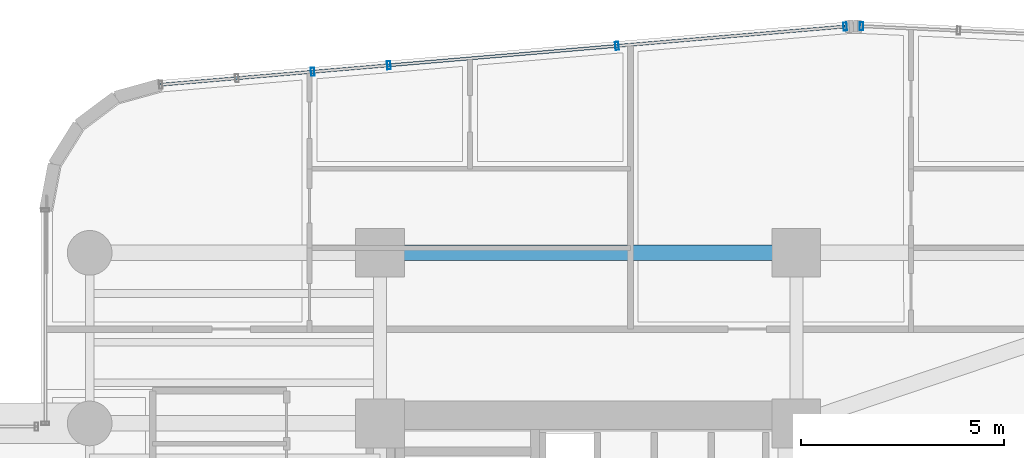
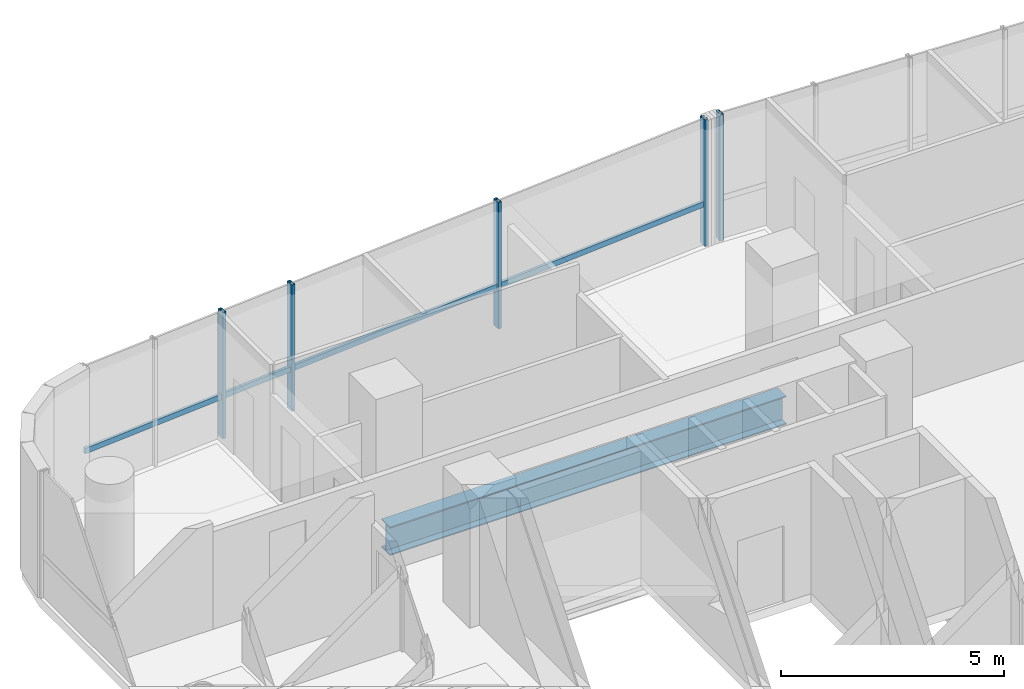
# One storey, part 19 of 36: 6 members, 1 beam, 2 elements without a shape of their own.
"""IFC4 building model written with IfcOpenShell, lengths in metres."""

import ifcopenshell
import ifcopenshell.guid

model = None  # the IFC model being written
_history = None  # IfcOwnerHistory: only IFC2X3 demands one
_inside = {}  # id of a spatial element -> (the spatial element, [elements in it])
_under = {}  # id of a project, library or spatial element -> (it, [spatial elements below it])
_declared = {}  # id of a project -> (the project, [libraries it declares])
_typed = {}  # id of a type object -> (the type object, [elements of that type])
_made_of = {}  # id of a material, layer set ... -> (it, [elements and type objects made of it])


def new_model(schema):
    """Start an empty IFC model of exactly this schema.

    Asked for "IFC4X3", IfcOpenShell would pick the latest addendum, in which some entities
    have other attributes; the version numbers below select the first issue.
    IFC2X3 requires an IfcOwnerHistory on every rooted entity: one is made here for all.
    """
    global model, _history
    if schema == "IFC4X3":
        model = ifcopenshell.file(schema_version=(4, 3, 0, 0))
    else:
        model = ifcopenshell.file(schema=schema)
    _inside.clear()
    _under.clear()
    _declared.clear()
    _typed.clear()
    _made_of.clear()
    _history = None
    if model.schema == "IFC2X3":
        org = make("IfcOrganization", Name="unknown")
        user = make(
            "IfcPersonAndOrganization",
            ThePerson=make("IfcPerson", FamilyName="unknown"),
            TheOrganization=org,
        )
        app = make(
            "IfcApplication",
            ApplicationDeveloper=org,
            Version="unknown",
            ApplicationFullName="unknown",
            ApplicationIdentifier="unknown",
        )
        _history = make(
            "IfcOwnerHistory",
            OwningUser=user,
            OwningApplication=app,
            ChangeAction="ADDED",
            CreationDate=0,
        )
    return model


def make(cls, **values):
    """One entity of the class cls with the attributes given. An attribute that is None is left unset."""
    return model.create_entity(
        cls, **{name: value for name, value in values.items() if value is not None}
    )


def rooted(cls, **values):
    """An entity with a GlobalId (a new one), such as an element, a storey or a relation."""
    return make(cls, GlobalId=ifcopenshell.guid.new(), OwnerHistory=_history, **values)


def si_unit(unit_type, name, prefix=None):
    """IfcSIUnit, for example si_unit("LENGTHUNIT", "METRE", prefix="MILLI")."""
    return make("IfcSIUnit", UnitType=unit_type, Prefix=prefix, Name=name)


def assignment(units):
    """IfcUnitAssignment: the units of a project."""
    return None if units is None else make("IfcUnitAssignment", Units=units)


def point(xyz):
    """IfcCartesianPoint."""
    return None if xyz is None else make("IfcCartesianPoint", Coordinates=xyz)


def direction(xyz):
    """IfcDirection."""
    return None if xyz is None else make("IfcDirection", DirectionRatios=xyz)


def frame(location, z_axis=None, x_axis=None):
    """IfcAxis2Placement3D, a coordinate frame: its origin and axes. An axis left out is left unset."""
    return make(
        "IfcAxis2Placement3D",
        Location=point(location),
        Axis=direction(z_axis),
        RefDirection=direction(x_axis),
    )


def frame_2d(location, x_axis=None):
    """IfcAxis2Placement2D, a coordinate frame in the plane: its origin and x axis."""
    return make(
        "IfcAxis2Placement2D", Location=point(location), RefDirection=direction(x_axis)
    )


def origin():
    """The frame at (0, 0, 0) with its axes left unset."""
    return frame((0.0, 0.0, 0.0))


def origin_2d():
    """The frame at (0, 0) in the plane with its x axis left unset."""
    return frame_2d((0.0, 0.0))


def place(relative_to, where):
    """IfcLocalPlacement: puts the frame where relative to a parent placement (None: the world)."""
    return make(
        "IfcLocalPlacement", PlacementRelTo=relative_to, RelativePlacement=where
    )


def context(
    kind, dimensions, precision=None, world=None, true_north=None, identifier=None
):
    """IfcGeometricRepresentationContext, for example the 3D "Model" context."""
    return make(
        "IfcGeometricRepresentationContext",
        ContextIdentifier=identifier,
        ContextType=kind,
        CoordinateSpaceDimension=dimensions,
        Precision=precision,
        WorldCoordinateSystem=world,
        TrueNorth=true_north,
    )


def subcontext(parent, identifier, kind, view, scale=None):
    """IfcGeometricRepresentationSubContext, for example "Body" below "Model"."""
    return make(
        "IfcGeometricRepresentationSubContext",
        ContextIdentifier=identifier,
        ContextType=kind,
        ParentContext=parent,
        TargetScale=scale,
        TargetView=view,
    )


def project(units=None, contexts=None):
    """IfcProject with its units and contexts."""
    return rooted(
        "IfcProject",
        Name="project",
        RepresentationContexts=contexts,
        UnitsInContext=assignment(units),
    )


def spatial(cls, under=None, at=None, **own):
    """A site, building, storey or space (cls), placed at a placement, below another one or the project."""
    s = rooted(cls, ObjectPlacement=at, **own)
    if under is not None:
        _under.setdefault(under.id(), (under, []))[1].append(s)
    return s


def profile(cls, at=None, kind="AREA", **sizes):
    """A parametric profile (cls). Its sizes go by their IFC names, for example OverallWidth=200.0."""
    return make(cls, ProfileType=kind, Position=at, **sizes)


def hollow_rectangle(**sizes):
    """IfcRectangleHollowProfileDef."""
    return profile("IfcRectangleHollowProfileDef", **sizes)


def i_section(**sizes):
    """IfcIShapeProfileDef."""
    return profile("IfcIShapeProfileDef", **sizes)


def extrude(swept, where, along, depth):
    """IfcExtrudedAreaSolid: the profile swept, set in the frame where, extruded along a direction by depth."""
    return make(
        "IfcExtrudedAreaSolid",
        SweptArea=swept,
        Position=where,
        ExtrudedDirection=direction(along),
        Depth=depth,
    )


def shape(context_of_items, identifier, shape_type, items):
    """IfcShapeRepresentation: the items that make up one representation, for example the "Body"."""
    return make(
        "IfcShapeRepresentation",
        ContextOfItems=context_of_items,
        RepresentationIdentifier=identifier,
        RepresentationType=shape_type,
        Items=items,
    )


def source(mapping_origin, context_of_items, identifier, shape_type, items):
    """IfcRepresentationMap: a shape defined once, which mapped items show again and again."""
    return make(
        "IfcRepresentationMap",
        MappingOrigin=mapping_origin,
        MappedRepresentation=shape(context_of_items, identifier, shape_type, items),
    )


def transform(
    local_origin,
    x_axis=None,
    y_axis=None,
    z_axis=None,
    scale=None,
    scale2=None,
    scale3=None,
    uniform=True,
):
    """IfcCartesianTransformationOperator3D, or its non-uniform kind. x_axis, y_axis, z_axis: its Axis1, 2, 3."""
    if uniform:
        return make(
            "IfcCartesianTransformationOperator3D",
            Axis1=direction(x_axis),
            Axis2=direction(y_axis),
            LocalOrigin=point(local_origin),
            Scale=scale,
            Axis3=direction(z_axis),
        )
    return make(
        "IfcCartesianTransformationOperator3DnonUniform",
        Axis1=direction(x_axis),
        Axis2=direction(y_axis),
        LocalOrigin=point(local_origin),
        Scale=scale,
        Axis3=direction(z_axis),
        Scale2=scale2,
        Scale3=scale3,
    )


def mapped(mapping_source, mapping_target):
    """IfcMappedItem: shows the shape of a source again, moved by a transform."""
    return make(
        "IfcMappedItem", MappingSource=mapping_source, MappingTarget=mapping_target
    )


def material(Name=None, Category=None):
    """IfcMaterial."""
    return make("IfcMaterial", Name=Name, Category=Category)


def material_profile(
    of_material, cross_section, Name=None, Category=None, Priority=None
):
    """IfcMaterialProfile: a cross section and its material."""
    return make(
        "IfcMaterialProfile",
        Name=Name,
        Material=of_material,
        Profile=cross_section,
        Priority=Priority,
        Category=Category,
    )


def profile_set(profiles, Name=None, composite=None):
    """IfcMaterialProfileSet."""
    return make(
        "IfcMaterialProfileSet",
        Name=Name,
        MaterialProfiles=profiles,
        CompositeProfile=composite,
    )


def made_of(thing, what):
    """Note that an element or type object is made of a material, layer set ...; save() writes the relation."""
    if what is not None:
        _made_of.setdefault(what.id(), (what, []))[1].append(thing)
    return thing


def type_object(cls, material=None, **own):
    """A type object (cls), such as IfcWallType, which elements share."""
    return made_of(rooted(cls, **own), material)


def element(
    cls,
    number,
    at=None,
    inside=None,
    cuts=None,
    type_object=None,
    material=None,
    context=None,
    identifier="Body",
    shape_type=None,
    held_by="IfcProductDefinitionShape",
    body=None,
    shapes=None,
    **own,
):
    """One element of the class cls, such as IfcWall. Its Tag is "e" and its number.

    at: its placement. inside: the storey or other place that contains it. cuts: it is an
    opening in that element (IfcRelVoidsElement). A single representation is given by context,
    identifier, shape_type and body (its items); several are given by shapes. held_by: the class
    of the entity that holds the representations. save() writes the other relations.
    """
    e = rooted(cls, Tag="e%d" % number, ObjectPlacement=at, **own)
    if body is not None:
        shapes = [shape(context, identifier, shape_type, body)]
    if shapes is not None:
        e.Representation = make(held_by, Representations=shapes)
    if inside is not None:
        _inside.setdefault(inside.id(), (inside, []))[1].append(e)
    if cuts is not None:
        rooted(
            "IfcRelVoidsElement", RelatingBuildingElement=cuts, RelatedOpeningElement=e
        )
    if type_object is not None:
        _typed.setdefault(type_object.id(), (type_object, []))[1].append(e)
    return made_of(e, material)


def aggregate(whole, parts):
    """IfcRelAggregates: a whole, such as a stair, and the parts it consists of."""
    return rooted("IfcRelAggregates", RelatingObject=whole, RelatedObjects=parts)


def save(model, path):
    """Write the relations noted so far, then the file.

    IfcRelAggregates (storeys below a building ...), IfcRelContainedInSpatialStructure (elements
    in a storey), IfcRelDefinesByType, IfcRelAssociatesMaterial and IfcRelDeclares: one each for
    every whole, place, type object, material and project.
    """
    for whole, parts in _under.values():
        aggregate(whole, parts)
    for where, things in _inside.values():
        rooted(
            "IfcRelContainedInSpatialStructure",
            RelatedElements=things,
            RelatingStructure=where,
        )
    for kind, things in _typed.values():
        rooted("IfcRelDefinesByType", RelatedObjects=things, RelatingType=kind)
    for what, things in _made_of.values():
        rooted("IfcRelAssociatesMaterial", RelatedObjects=things, RelatingMaterial=what)
    for by, libraries in _declared.values():
        rooted("IfcRelDeclares", RelatingContext=by, RelatedDefinitions=libraries)
    model.write(path)


model = new_model("IFC4")

# Units and contexts
model_context = context("Model", 3, precision=1e-05, world=origin(), true_north=direction((0.0, 1.0)))
body_context = subcontext(model_context, "Body", "Model", "MODEL_VIEW")
ifc_project = project(units=[si_unit("LENGTHUNIT", "METRE"), si_unit("AREAUNIT", "SQUARE_METRE"), si_unit("VOLUMEUNIT", "CUBIC_METRE"), si_unit("PLANEANGLEUNIT", "RADIAN"), si_unit("MASSUNIT", "GRAM", prefix="KILO")], contexts=[model_context])

# Site, building, storey
site_placement = place(None, origin())
site = spatial("IfcSite", under=ifc_project, at=site_placement, CompositionType="ELEMENT")
building_placement = place(site_placement, origin())
building = spatial("IfcBuilding", under=site, at=building_placement, Name="Valdorenza Pilgrim Sanctuary Tower", CompositionType="ELEMENT")
storey_placement = place(building_placement, frame((0.0, 0.0, 109.39990234375)))
storey = spatial("IfcBuildingStorey", under=building, at=storey_placement, Name="L27", CompositionType="ELEMENT", Elevation=109.39990234375)

# Beam
ifc_material_1 = material(Name="Steel ASTM A992 Grade 50", Category="steel")
ifc_material_profile_1 = material_profile(ifc_material_1, i_section(OverallWidth=0.382080078125, OverallDepth=0.779052734375, WebThickness=0.01806640625, FlangeThickness=0.030029296875, at=origin_2d()), Name="W30X191")
ifc_profile_set_1 = profile_set([ifc_material_profile_1], Name="Steel ASTM A992 Grade 50")
beam_type = type_object("IfcBeamType", Name="STR-BM-GRD-W30", PredefinedType="BEAM", material=ifc_profile_set_1)
shared_shape_1 = source(origin(), body_context, "Body", "SweptSolid", [
    extrude(i_section(OverallWidth=0.382080078125, OverallDepth=0.779052734375, WebThickness=0.01806640625, FlangeThickness=0.030029296875, at=origin_2d()), origin(), (0.0, 0.0, 1.0), 10.25),
])
beam_placement = place(storey_placement, frame((-22.64990234375, 14.800048828125, -0.62939453125), z_axis=(1.0, 0.0, 0.0), x_axis=(0.0, 1.0, 0.0)))
element("IfcBeam", 1, at=beam_placement, inside=storey, type_object=beam_type, Name="L27 Floor Girder CA-XC-N2", PredefinedType="BEAM", context=body_context, shape_type="MappedRepresentation", body=[
    mapped(shared_shape_1, transform((0.0, 0.0, 0.0), x_axis=(1.0, 0.0, 0.0), y_axis=(0.0, 1.0, 0.0), z_axis=(0.0, 0.0, 1.0), scale=1.0)),
])

# Curtain wall, members
ifc_material_2 = material(Name="Curtain-wall IGU glazing", Category="glass")
curtain_wall_type = type_object("IfcCurtainWallType", Name="CW-SYS-02", PredefinedType="NOTDEFINED", material=ifc_material_2)
curtain_wall_1_placement = place(storey_placement, origin())
curtain_wall_1 = element("IfcCurtainWall", 2, at=curtain_wall_1_placement, inside=storey, type_object=curtain_wall_type, Name="L27 Curtain Wall CW-L27-1-6", PredefinedType="NOTDEFINED")
ifc_material_3 = material(Name="Anodised aluminium AW-6060", Category="aluminium")
ifc_material_profile_2 = material_profile(ifc_material_3, hollow_rectangle(XDim=0.0849609375, YDim=0.199951171875, WallThickness=0.0048828125, at=origin_2d()), Name="ALU-M 200x85x5")
ifc_profile_set_2 = profile_set([ifc_material_profile_2], Name="Anodised aluminium AW-6060")
member_type_1 = type_object("IfcMemberType", Name="CW-MUL-02", PredefinedType="MULLION", material=ifc_profile_set_2)
shared_shape_2 = source(origin(), body_context, "Body", "SweptSolid", [
    extrude(hollow_rectangle(XDim=0.0849609375, YDim=0.199951171875, WallThickness=0.0048828125, at=origin_2d()), origin(), (0.0, 0.0, 1.0), 3.460205078125),
])
member_1_placement = place(storey_placement, frame((-22.43408203125, 19.417724609375, 0.0), z_axis=(0.0, 0.0, 1.0), x_axis=(0.99640764237, 0.084686541006, 0.0)))
member_1 = element("IfcMember", 3, at=member_1_placement, type_object=member_type_1, Name="CW-L27-1-6 Mullion 2", PredefinedType="MULLION", context=body_context, shape_type="MappedRepresentation", body=[
    mapped(shared_shape_2, transform((0.0, 0.0, 0.0), x_axis=(1.0, 0.0, 0.0), y_axis=(0.0, 1.0, 0.0), z_axis=(0.0, 0.0, 1.0), scale=1.0)),
])
member_2_placement = place(storey_placement, frame((-16.81689453125, 19.895263671875, 0.0), z_axis=(0.0, 0.0, 1.0), x_axis=(0.99640764237, 0.084686541006, 0.0)))
member_2 = element("IfcMember", 4, at=member_2_placement, type_object=member_type_1, Name="CW-L27-1-6 Mullion 3", PredefinedType="MULLION", context=body_context, shape_type="MappedRepresentation", body=[
    mapped(shared_shape_2, transform((0.0, 0.0, 0.0), x_axis=(1.0, 0.0, 0.0), y_axis=(0.0, 1.0, 0.0), z_axis=(0.0, 0.0, 1.0), scale=1.0)),
])
member_3_placement = place(storey_placement, frame((-11.199462890625, 20.37255859375, 0.0), z_axis=(0.0, 0.0, 1.0), x_axis=(0.99640764237, 0.084686541006, 0.0)))
member_3 = element("IfcMember", 5, at=member_3_placement, type_object=member_type_1, Name="CW-L27-1-6 Mullion 4", PredefinedType="MULLION", context=body_context, shape_type="MappedRepresentation", body=[
    mapped(shared_shape_2, transform((0.0, 0.0, 0.0), x_axis=(1.0, 0.0, 0.0), y_axis=(0.0, 1.0, 0.0), z_axis=(0.0, 0.0, 1.0), scale=1.0)),
])

# Curtain wall, member
curtain_wall_2_placement = place(storey_placement, origin())
curtain_wall_2 = element("IfcCurtainWall", 6, at=curtain_wall_2_placement, inside=storey, type_object=curtain_wall_type, Name="L27 Curtain Wall CW-L27-1-11", PredefinedType="NOTDEFINED")
member_4_placement = place(storey_placement, frame((-10.795654296875, 20.380615234375, 0.0), z_axis=(0.0, 0.0, 1.0), x_axis=(0.998968193221, -0.045415294044, 0.0)))
member_4 = element("IfcMember", 7, at=member_4_placement, type_object=member_type_1, Name="CW-L27-1-11 Mullion 1", PredefinedType="MULLION", context=body_context, shape_type="MappedRepresentation", body=[
    mapped(shared_shape_2, transform((0.0, 0.0, 0.0), x_axis=(1.0, 0.0, 0.0), y_axis=(0.0, 1.0, 0.0), z_axis=(0.0, 0.0, 1.0), scale=1.0)),
])
aggregate(curtain_wall_2, [member_4])

# Member
member_5_placement = place(storey_placement, frame((-24.309814453125, 19.25830078125, 0.0), z_axis=(0.0, 0.0, 1.0), x_axis=(0.99640764237, 0.084686541006, 0.0)))
member_5 = element("IfcMember", 8, at=member_5_placement, type_object=member_type_1, Name="CW-L27-1-6 Sub-Mullion 48-2", PredefinedType="MULLION", context=body_context, shape_type="MappedRepresentation", body=[
    mapped(shared_shape_2, transform((0.0, 0.0, 0.0), x_axis=(1.0, 0.0, 0.0), y_axis=(0.0, 1.0, 0.0), z_axis=(0.0, 0.0, 1.0), scale=1.0)),
])

ifc_material_profile_3 = material_profile(ifc_material_3, hollow_rectangle(XDim=0.074951171875, YDim=0.14990234375, WallThickness=0.00390625, at=origin_2d()), Name="ALU-T 150x75x4")
ifc_profile_set_3 = profile_set([ifc_material_profile_3], Name="Anodised aluminium AW-6060")
member_type_2 = type_object("IfcMemberType", Name="CW-TRN-02", PredefinedType="USERDEFINED", material=ifc_profile_set_3)
shared_shape_3 = source(origin(), body_context, "Body", "SweptSolid", [
    extrude(hollow_rectangle(XDim=0.074951171875, YDim=0.14990234375, WallThickness=0.00390625, at=origin_2d()), origin(), (0.0, 0.0, 1.0), 16.912841796875),
])
member_6_placement = place(storey_placement, frame((-28.051513671875, 18.940185546875, 1.1201171875), z_axis=(0.996407213932, 0.084691581783, 0.0), x_axis=(-0.084691581783, 0.996407213932, 0.0)))
member_6 = element("IfcMember", 9, at=member_6_placement, type_object=member_type_2, Name="CW-L27-1-6 Transom 1", ObjectType="TRANSOM", PredefinedType="USERDEFINED", context=body_context, shape_type="MappedRepresentation", body=[
    mapped(shared_shape_3, transform((0.0, 0.0, 0.0), x_axis=(1.0, 0.0, 0.0), y_axis=(0.0, 1.0, 0.0), z_axis=(0.0, 0.0, 1.0), scale=1.0)),
])

aggregate(curtain_wall_1, [member_1, member_2, member_3, member_6, member_5])

save(model, "model.ifc")
